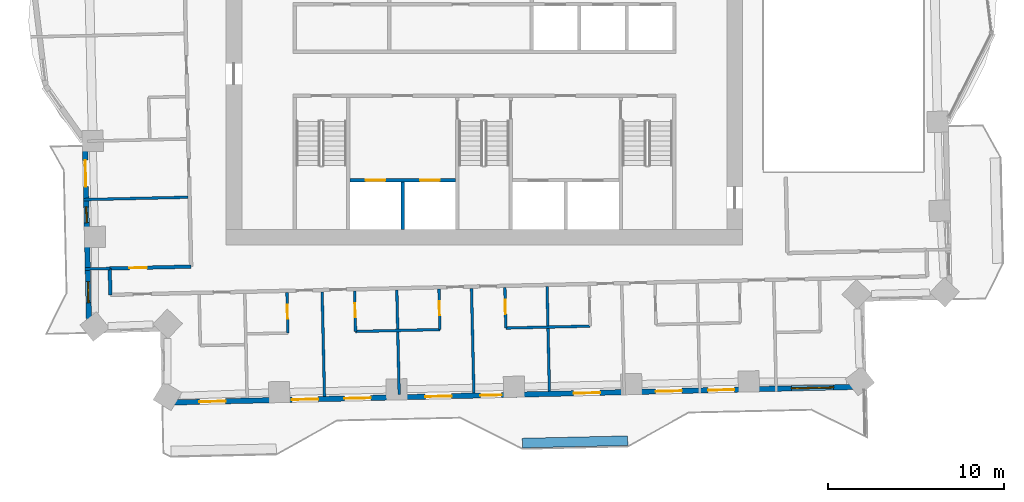
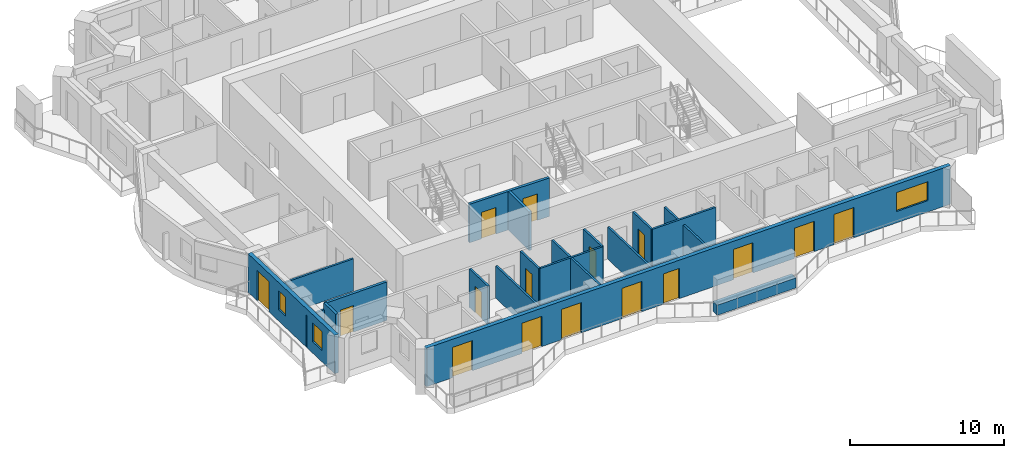
# One storey, part 6 of 16: 19 walls, 16 doors, 3 windows, 19 openings.
"""IFC4 building model written with IfcOpenShell, lengths in metres."""

from ifc_helpers import new_model, si_unit, direction, frame, frame_2d, origin, place, context, subcontext, project, spatial, rectangle, extrude, material, layer, layer_set, type_object, element, fill, save


model = new_model("IFC4")

# Units and contexts
model_context = context("Model", 3, precision=1e-05, world=origin(), true_north=direction((0.0, 1.0)))
body_context = subcontext(model_context, "Body", "Model", "MODEL_VIEW")
ifc_project = project(units=[si_unit("LENGTHUNIT", "METRE"), si_unit("AREAUNIT", "SQUARE_METRE"), si_unit("VOLUMEUNIT", "CUBIC_METRE"), si_unit("PLANEANGLEUNIT", "RADIAN"), si_unit("MASSUNIT", "GRAM", prefix="KILO")], contexts=[model_context])

# Site, building, storey
site_placement = place(None, origin())
site = spatial("IfcSite", under=ifc_project, at=site_placement, CompositionType="ELEMENT")
building_placement = place(site_placement, origin())
building = spatial("IfcBuilding", under=site, at=building_placement, Name="Mangrove Gate Tower", CompositionType="ELEMENT")
storey_placement = place(building_placement, frame((0.0, 0.0, 175.300048828125)))
storey = spatial("IfcBuildingStorey", under=building, at=storey_placement, Name="L44", CompositionType="ELEMENT", Elevation=175.300048828125)

# Wall, openings, doors
ifc_material_1 = material(Name="Concrete C60/75", Category="concrete")
ifc_layer_1 = layer(ifc_material_1, 0.199951171875)
ifc_layer_set_1 = layer_set([ifc_layer_1], Name="Core shaft wall 200 C60/75")
wall_type_1 = type_object("IfcWallType", Name="Core shaft wall 200 C60/75", PredefinedType="SHEAR", material=ifc_layer_set_1)
wall_1_placement = place(storey_placement, frame((-7.64990234375, -8.0, 0.0), z_axis=(0.0, 0.0, 1.0), x_axis=(1.0, 0.0, 0.0)))
wall_1 = element("IfcWall", 1, at=wall_1_placement, inside=storey, type_object=wall_type_1, Name="WALL-L44-CORE-15", PredefinedType="SHEAR", context=body_context, shape_type="SweptSolid", body=[
    extrude(rectangle(XDim=6.0, YDim=0.199951171875, at=frame_2d((3.0, 0.0))), origin(), (0.0, 0.0, 1.0), 3.050048828125),
])
opening_1_placement = place(wall_1_placement, frame((0.89990234375, 0.0, 0.0)))
opening_1 = element("IfcOpeningElement", 2, at=opening_1_placement, cuts=wall_1, Name="Opening LD", PredefinedType="OPENING", context=body_context, shape_type="SweptSolid", body=[
    extrude(rectangle(XDim=1.10009765625, YDim=2.10009765625, at=frame_2d((0.550048828125, 1.050048828125))), frame((0.0, 0.10986328125, 0.0), z_axis=(0.0, -1.0, 0.0), x_axis=(1.0, 0.0, 0.0)), (0.0, 0.0, 1.0), 0.219970703125),
])
opening_2_placement = place(wall_1_placement, frame((4.0, 0.0, 0.0)))
opening_2 = element("IfcOpeningElement", 3, at=opening_2_placement, cuts=wall_1, Name="Opening LD", PredefinedType="OPENING", context=body_context, shape_type="SweptSolid", body=[
    extrude(rectangle(XDim=1.10009765625, YDim=2.10009765625, at=frame_2d((0.550048828125, 1.050048828125))), frame((0.0, 0.10986328125, 0.0), z_axis=(0.0, -1.0, 0.0), x_axis=(1.0, 0.0, 0.0)), (0.0, 0.0, 1.0), 0.219970703125),
])
ifc_material_2 = material(Name="Stainless steel 316", Category="steel")
door_type_1 = type_object("IfcDoorType", Name="Lift landing door 1100x2100", OperationType="SLIDING_TO_LEFT", PredefinedType="DOOR", material=ifc_material_2)
door_1_placement = place(opening_1_placement, origin())
door_1 = element("IfcDoor", 4, at=door_1_placement, inside=storey, type_object=door_type_1, Name="Landing door LD SVL1", OperationType="SLIDING_TO_LEFT", OverallHeight=2.10009765625, OverallWidth=1.10009765625, PredefinedType="DOOR", context=body_context, shape_type="SweptSolid", body=[
    extrude(rectangle(XDim=1.10009765625, YDim=2.10009765625, at=frame_2d((0.550048828125, 1.050048828125))), frame((0.0, 0.02490234375, 0.0), z_axis=(0.0, -1.0, 0.0), x_axis=(1.0, 0.0, 0.0)), (0.0, 0.0, 1.0), 0.050048828125),
])
fill(opening_1, door_1)
door_2_placement = place(opening_2_placement, origin())
door_2 = element("IfcDoor", 5, at=door_2_placement, inside=storey, type_object=door_type_1, Name="Landing door LD SVL2", OperationType="SLIDING_TO_LEFT", OverallHeight=2.10009765625, OverallWidth=1.10009765625, PredefinedType="DOOR", context=body_context, shape_type="SweptSolid", body=[
    extrude(rectangle(XDim=1.10009765625, YDim=2.10009765625, at=frame_2d((0.550048828125, 1.050048828125))), frame((0.0, 0.02490234375, 0.0), z_axis=(0.0, -1.0, 0.0), x_axis=(1.0, 0.0, 0.0)), (0.0, 0.0, 1.0), 0.050048828125),
])
fill(opening_2, door_2)

# Walls
wall_2_placement = place(storey_placement, frame((-4.64990234375, -10.800048828125, 0.0), z_axis=(0.0, 0.0, 1.0), x_axis=(0.0, 1.0, 0.0)))
element("IfcWall", 6, at=wall_2_placement, inside=storey, type_object=wall_type_1, Name="WALL-L44-CORE-16", PredefinedType="SHEAR", context=body_context, shape_type="SweptSolid", body=[
    extrude(rectangle(XDim=2.699951171875, YDim=0.199951171875, at=frame_2d((1.35009765625, 0.0))), origin(), (0.0, 0.0, 1.0), 3.050048828125),
])
ifc_material_3 = material(Name="Gypsum board on steel stud, EI 60", Category="steel")
ifc_layer_2 = layer(ifc_material_3, 0.199951171875)
ifc_layer_set_2 = layer_set([ifc_layer_2], Name="Corridor wall EI 60")
wall_type_2 = type_object("IfcWallType", Name="Corridor wall EI 60", PredefinedType="PARTITIONING", material=ifc_layer_set_2)
wall_3_placement = place(storey_placement, frame((-21.279052734375, -14.52294921875, 0.0), z_axis=(0.0, 0.0, 1.0), x_axis=(-0.022632637625, 0.99974384905, 0.0)))
element("IfcWall", 7, at=wall_3_placement, inside=storey, type_object=wall_type_2, Name="WALL-L44-025", PredefinedType="PARTITIONING", context=body_context, shape_type="SweptSolid", body=[
    extrude(rectangle(XDim=1.49951171875, YDim=0.199951171875, at=frame_2d((0.749755859375, 0.0))), origin(), (0.0, 0.0, 1.0), 3.050048828125),
])

# Wall, opening, door
wall_4_placement = place(storey_placement, frame((-21.31298828125, -13.02392578125, 0.0), z_axis=(0.0, 0.0, 1.0), x_axis=(0.999738699021, 0.022858995594, 0.0)))
wall_4 = element("IfcWall", 8, at=wall_4_placement, inside=storey, type_object=wall_type_2, Name="WALL-L44-028", PredefinedType="PARTITIONING", context=body_context, shape_type="SweptSolid", body=[
    extrude(rectangle(XDim=4.63525390625, YDim=0.199951171875, at=frame_2d((2.317626953125, 0.0))), origin(), (0.0, 0.0, 1.0), 3.050048828125),
])
opening_3_placement = place(wall_4_placement, frame((1.116943359375, 0.0, 0.0)))
opening_3 = element("IfcOpeningElement", 9, at=opening_3_placement, cuts=wall_4, Name="Opening AD", PredefinedType="OPENING", context=body_context, shape_type="SweptSolid", body=[
    extrude(rectangle(XDim=1.0, YDim=2.10009765625, at=frame_2d((0.5, 1.050048828125))), frame((0.0, 0.10986328125, 0.0), z_axis=(0.0, -1.0, 0.0), x_axis=(1.0, 0.0, 0.0)), (0.0, 0.0, 1.0), 0.219970703125),
])
ifc_material_4 = material(Name="Timber door leaf", Category="wood")
door_type_2 = type_object("IfcDoorType", Name="Amenity door 1000", OperationType="SINGLE_SWING_LEFT", PredefinedType="DOOR", material=ifc_material_4)
door_3_placement = place(opening_3_placement, origin())
door_3 = element("IfcDoor", 10, at=door_3_placement, inside=storey, type_object=door_type_2, Name="DOOR-L44-KIT-c5b", OperationType="SINGLE_SWING_LEFT", OverallHeight=2.10009765625, OverallWidth=1.0, PredefinedType="DOOR", context=body_context, shape_type="SweptSolid", body=[
    extrude(rectangle(XDim=1.0, YDim=2.10009765625, at=frame_2d((0.5, 1.050048828125))), frame((0.0, 0.02490234375, 0.0), z_axis=(0.0, -1.0, 0.0), x_axis=(1.0, 0.0, 0.0)), (0.0, 0.0, 1.0), 0.050048828125),
])
fill(opening_3, door_3)

# Wall, openings, door, windows
ifc_material_5 = material(Name="Limestone", Category="masonry")
ifc_layer_3 = layer(ifc_material_5, 0.0400390625, Name="Limestone cladding")
ifc_material_6 = material(Name="Ventilated air gap")
ifc_layer_4 = layer(ifc_material_6, 0.0400390625, Name="Ventilated cavity")
ifc_material_7 = material(Name="Mineral wool insulation")
ifc_layer_5 = layer(ifc_material_7, 0.06005859375, Name="Insulation")
ifc_material_8 = material(Name="Breather membrane")
ifc_layer_6 = layer(ifc_material_8, 0.001953125, Name="Breather membrane")
ifc_material_9 = material(Name="Concrete C20/25 blockwork", Category="masonry")
ifc_layer_7 = layer(ifc_material_9, 0.14990234375, Name="Blockwork backing wall")
ifc_material_10 = material(Name="Gypsum plaster")
ifc_layer_8 = layer(ifc_material_10, 0.008056640625, Name="Internal plaster")
ifc_layer_set_3 = layer_set([ifc_layer_3, ifc_layer_4, ifc_layer_5, ifc_layer_6, ifc_layer_7, ifc_layer_8], Name="External wall 300 limestone cladding")
wall_type_3 = type_object("IfcWallType", Name="External wall 300 limestone cladding", PredefinedType="SOLIDWALL", material=ifc_layer_set_3)
wall_5_placement = place(storey_placement, frame((-22.72900390625, -5.72509765625, 0.0), z_axis=(0.0, 0.0, 1.0), x_axis=(0.022726014582, -0.999741730779, 0.0)))
wall_5 = element("IfcWall", 11, at=wall_5_placement, inside=storey, type_object=wall_type_3, Name="WALL-L44-W10", PredefinedType="SOLIDWALL", context=body_context, shape_type="SweptSolid", body=[
    extrude(rectangle(XDim=10.82861328125, YDim=0.300048828125, at=frame_2d((5.414306640625, 0.0))), origin(), (0.0, 0.0, 1.0), 3.050048828125),
])
opening_4_placement = place(wall_5_placement, frame((1.14208984375, 0.0, 0.0)))
opening_4 = element("IfcOpeningElement", 12, at=opening_4_placement, cuts=wall_5, Name="Opening BD1", PredefinedType="OPENING", context=body_context, shape_type="SweptSolid", body=[
    extrude(rectangle(XDim=1.5, YDim=2.39990234375, at=frame_2d((0.75, 1.199951171875))), frame((0.0, 0.159912109375, 0.0), z_axis=(0.0, -1.0, 0.0), x_axis=(1.0, 0.0, 0.0)), (0.0, 0.0, 1.0), 0.320068359375),
])
opening_5_placement = place(wall_5_placement, frame((3.798095703125, 0.0, 0.89990234375)))
opening_5 = element("IfcOpeningElement", 13, at=opening_5_placement, cuts=wall_5, Name="Opening W5", PredefinedType="OPENING", context=body_context, shape_type="SweptSolid", body=[
    extrude(rectangle(XDim=0.89990234375, YDim=1.5, at=frame_2d((0.449951171875, 0.75))), frame((0.0, 0.159912109375, 0.0), z_axis=(0.0, -1.0, 0.0), x_axis=(1.0, 0.0, 0.0)), (0.0, 0.0, 1.0), 0.320068359375),
])
opening_6_placement = place(wall_5_placement, frame((8.050048828125, 0.0, 0.89990234375)))
opening_6 = element("IfcOpeningElement", 14, at=opening_6_placement, cuts=wall_5, Name="Opening W1", PredefinedType="OPENING", context=body_context, shape_type="SweptSolid", body=[
    extrude(rectangle(XDim=1.199951171875, YDim=1.5, at=frame_2d((0.60009765625, 0.75))), frame((0.0, 0.159912109375, 0.0), z_axis=(0.0, -1.0, 0.0), x_axis=(1.0, 0.0, 0.0)), (0.0, 0.0, 1.0), 0.320068359375),
])
ifc_material_11 = material(Name="Aluminium frame with laminated clear glass", Category="aluminium")
door_type_3 = type_object("IfcDoorType", Name="Balcony sliding door 1500x2400", OperationType="SLIDING_TO_LEFT", PredefinedType="DOOR", material=ifc_material_11)
door_4_placement = place(opening_4_placement, origin())
door_4 = element("IfcDoor", 15, at=door_4_placement, inside=storey, type_object=door_type_3, Name="DOOR-L44-W10-1", OperationType="SLIDING_TO_LEFT", OverallHeight=2.39990234375, OverallWidth=1.5, PredefinedType="DOOR", context=body_context, shape_type="SweptSolid", body=[
    extrude(rectangle(XDim=1.5, YDim=2.39990234375, at=frame_2d((0.75, 1.199951171875))), frame((0.0, 0.02490234375, 0.0), z_axis=(0.0, -1.0, 0.0), x_axis=(1.0, 0.0, 0.0)), (0.0, 0.0, 1.0), 0.050048828125),
])
fill(opening_4, door_4)
ifc_material_12 = material(Name="Aluminium frame with double-glazed low-e glass", Category="aluminium")
window_type_1 = type_object("IfcWindowType", Name="Narrow window 900x1500", PartitioningType="SINGLE_PANEL", PredefinedType="WINDOW", material=ifc_material_12)
window_1_placement = place(opening_5_placement, origin())
window_1 = element("IfcWindow", 16, at=window_1_placement, inside=storey, type_object=window_type_1, Name="WIN-L44-W10-2", OverallHeight=1.5, OverallWidth=0.89990234375, PartitioningType="SINGLE_PANEL", PredefinedType="WINDOW", context=body_context, shape_type="SweptSolid", body=[
    extrude(rectangle(XDim=0.89990234375, YDim=1.5, at=frame_2d((0.449951171875, 0.75))), frame((0.0, 0.030029296875, 0.0), z_axis=(0.0, -1.0, 0.0), x_axis=(1.0, 0.0, 0.0)), (0.0, 0.0, 1.0), 0.06005859375),
])
fill(opening_5, window_1)
ifc_material_13 = material(Name="Aluminium frame with double-glazed low-e glass", Category="aluminium")
window_type_2 = type_object("IfcWindowType", Name="Side lite 1200x1500", PartitioningType="SINGLE_PANEL", PredefinedType="WINDOW", material=ifc_material_13)
window_2_placement = place(opening_6_placement, origin())
window_2 = element("IfcWindow", 17, at=window_2_placement, inside=storey, type_object=window_type_2, Name="WIN-L44-W10-3", OverallHeight=1.5, OverallWidth=1.199951171875, PartitioningType="SINGLE_PANEL", PredefinedType="WINDOW", context=body_context, shape_type="SweptSolid", body=[
    extrude(rectangle(XDim=1.199951171875, YDim=1.5, at=frame_2d((0.60009765625, 0.75))), frame((0.0, 0.030029296875, 0.0), z_axis=(0.0, -1.0, 0.0), x_axis=(1.0, 0.0, 0.0)), (0.0, 0.0, 1.0), 0.06005859375),
])
fill(opening_6, window_2)

# Wall, openings, doors, window
wall_6_placement = place(storey_placement, frame((-18.18896484375, -20.655029296875, 0.0), z_axis=(0.0, 0.0, 1.0), x_axis=(0.999742285265, 0.022701609063, 0.0)))
wall_6 = element("IfcWall", 18, at=wall_6_placement, inside=storey, type_object=wall_type_3, Name="WALL-L44-S13", PredefinedType="SOLIDWALL", context=body_context, shape_type="SweptSolid", body=[
    extrude(rectangle(XDim=39.7802734375, YDim=0.300048828125, at=frame_2d((19.89013671875, 0.0))), origin(), (0.0, 0.0, 1.0), 3.050048828125),
])
opening_7_placement = place(wall_6_placement, frame((1.972900390625, 0.0, 0.0)))
opening_7 = element("IfcOpeningElement", 19, at=opening_7_placement, cuts=wall_6, Name="Opening BD1", PredefinedType="OPENING", context=body_context, shape_type="SweptSolid", body=[
    extrude(rectangle(XDim=1.5, YDim=2.39990234375, at=frame_2d((0.75, 1.199951171875))), frame((0.0, 0.159912109375, 0.0), z_axis=(0.0, -1.0, 0.0), x_axis=(1.0, 0.0, 0.0)), (0.0, 0.0, 1.0), 0.320068359375),
])
opening_8_placement = place(wall_6_placement, frame((7.239990234375, 0.0, 0.0)))
opening_8 = element("IfcOpeningElement", 20, at=opening_8_placement, cuts=wall_6, Name="Opening BD1", PredefinedType="OPENING", context=body_context, shape_type="SweptSolid", body=[
    extrude(rectangle(XDim=1.5, YDim=2.39990234375, at=frame_2d((0.75, 1.199951171875))), frame((0.0, 0.159912109375, 0.0), z_axis=(0.0, -1.0, 0.0), x_axis=(1.0, 0.0, 0.0)), (0.0, 0.0, 1.0), 0.320068359375),
])
opening_9_placement = place(wall_6_placement, frame((10.22998046875, 0.0, 0.0)))
opening_9 = element("IfcOpeningElement", 21, at=opening_9_placement, cuts=wall_6, Name="Opening BD1", PredefinedType="OPENING", context=body_context, shape_type="SweptSolid", body=[
    extrude(rectangle(XDim=1.5, YDim=2.39990234375, at=frame_2d((0.75, 1.199951171875))), frame((0.0, 0.159912109375, 0.0), z_axis=(0.0, -1.0, 0.0), x_axis=(1.0, 0.0, 0.0)), (0.0, 0.0, 1.0), 0.320068359375),
])
opening_10_placement = place(wall_6_placement, frame((14.830078125, 0.0, 0.0)))
opening_10 = element("IfcOpeningElement", 22, at=opening_10_placement, cuts=wall_6, Name="Opening BD1", PredefinedType="OPENING", context=body_context, shape_type="SweptSolid", body=[
    extrude(rectangle(XDim=1.5, YDim=2.39990234375, at=frame_2d((0.75, 1.199951171875))), frame((0.0, 0.159912109375, 0.0), z_axis=(0.0, -1.0, 0.0), x_axis=(1.0, 0.0, 0.0)), (0.0, 0.0, 1.0), 0.320068359375),
])
opening_11_placement = place(wall_6_placement, frame((17.969970703125, 0.0, 0.0)))
opening_11 = element("IfcOpeningElement", 23, at=opening_11_placement, cuts=wall_6, Name="Opening BD2", PredefinedType="OPENING", context=body_context, shape_type="SweptSolid", body=[
    extrude(rectangle(XDim=1.199951171875, YDim=2.39990234375, at=frame_2d((0.60009765625, 1.199951171875))), frame((0.0, 0.159912109375, 0.0), z_axis=(0.0, -1.0, 0.0), x_axis=(1.0, 0.0, 0.0)), (0.0, 0.0, 1.0), 0.320068359375),
])
opening_12_placement = place(wall_6_placement, frame((23.27490234375, 0.0, 0.0)))
opening_12 = element("IfcOpeningElement", 24, at=opening_12_placement, cuts=wall_6, Name="Opening BD1", PredefinedType="OPENING", context=body_context, shape_type="SweptSolid", body=[
    extrude(rectangle(XDim=1.5, YDim=2.39990234375, at=frame_2d((0.75, 1.199951171875))), frame((0.0, 0.159912109375, 0.0), z_axis=(0.0, -1.0, 0.0), x_axis=(1.0, 0.0, 0.0)), (0.0, 0.0, 1.0), 0.320068359375),
])
opening_13_placement = place(wall_6_placement, frame((27.93505859375, 0.0, 0.0)))
opening_13 = element("IfcOpeningElement", 25, at=opening_13_placement, cuts=wall_6, Name="Opening BD1", PredefinedType="OPENING", context=body_context, shape_type="SweptSolid", body=[
    extrude(rectangle(XDim=1.5, YDim=2.39990234375, at=frame_2d((0.75, 1.199951171875))), frame((0.0, 0.159912109375, 0.0), z_axis=(0.0, -1.0, 0.0), x_axis=(1.0, 0.0, 0.0)), (0.0, 0.0, 1.0), 0.320068359375),
])
opening_14_placement = place(wall_6_placement, frame((30.925048828125, 0.0, 0.0)))
opening_14 = element("IfcOpeningElement", 26, at=opening_14_placement, cuts=wall_6, Name="Opening BD1", PredefinedType="OPENING", context=body_context, shape_type="SweptSolid", body=[
    extrude(rectangle(XDim=1.5, YDim=2.39990234375, at=frame_2d((0.75, 1.199951171875))), frame((0.0, 0.159912109375, 0.0), z_axis=(0.0, -1.0, 0.0), x_axis=(1.0, 0.0, 0.0)), (0.0, 0.0, 1.0), 0.320068359375),
])
opening_15_placement = place(wall_6_placement, frame((35.6650390625, 0.0, 0.89990234375)))
opening_15 = element("IfcOpeningElement", 27, at=opening_15_placement, cuts=wall_6, Name="Opening W2", PredefinedType="OPENING", context=body_context, shape_type="SweptSolid", body=[
    extrude(rectangle(XDim=2.39990234375, YDim=1.5, at=frame_2d((1.199951171875, 0.75))), frame((0.0, 0.159912109375, 0.0), z_axis=(0.0, -1.0, 0.0), x_axis=(1.0, 0.0, 0.0)), (0.0, 0.0, 1.0), 0.320068359375),
])
ifc_material_14 = material(Name="Aluminium frame with laminated clear glass", Category="aluminium")
door_type_4 = type_object("IfcDoorType", Name="Balcony sliding door 1200x2400", OperationType="SLIDING_TO_LEFT", PredefinedType="DOOR", material=ifc_material_14)
door_5_placement = place(opening_11_placement, origin())
door_5 = element("IfcDoor", 28, at=door_5_placement, inside=storey, type_object=door_type_4, Name="DOOR-L44-S13-5", OperationType="SLIDING_TO_LEFT", OverallHeight=2.39990234375, OverallWidth=1.199951171875, PredefinedType="DOOR", context=body_context, shape_type="SweptSolid", body=[
    extrude(rectangle(XDim=1.199951171875, YDim=2.39990234375, at=frame_2d((0.60009765625, 1.199951171875))), frame((0.0, 0.02490234375, 0.0), z_axis=(0.0, -1.0, 0.0), x_axis=(1.0, 0.0, 0.0)), (0.0, 0.0, 1.0), 0.050048828125),
])
fill(opening_11, door_5)
door_6_placement = place(opening_7_placement, origin())
door_6 = element("IfcDoor", 29, at=door_6_placement, inside=storey, type_object=door_type_3, Name="DOOR-L44-S13-1", OperationType="SLIDING_TO_LEFT", OverallHeight=2.39990234375, OverallWidth=1.5, PredefinedType="DOOR", context=body_context, shape_type="SweptSolid", body=[
    extrude(rectangle(XDim=1.5, YDim=2.39990234375, at=frame_2d((0.75, 1.199951171875))), frame((0.0, 0.02490234375, 0.0), z_axis=(0.0, -1.0, 0.0), x_axis=(1.0, 0.0, 0.0)), (0.0, 0.0, 1.0), 0.050048828125),
])
fill(opening_7, door_6)
door_7_placement = place(opening_8_placement, origin())
door_7 = element("IfcDoor", 30, at=door_7_placement, inside=storey, type_object=door_type_3, Name="DOOR-L44-S13-2", OperationType="SLIDING_TO_LEFT", OverallHeight=2.39990234375, OverallWidth=1.5, PredefinedType="DOOR", context=body_context, shape_type="SweptSolid", body=[
    extrude(rectangle(XDim=1.5, YDim=2.39990234375, at=frame_2d((0.75, 1.199951171875))), frame((0.0, 0.02490234375, 0.0), z_axis=(0.0, -1.0, 0.0), x_axis=(1.0, 0.0, 0.0)), (0.0, 0.0, 1.0), 0.050048828125),
])
fill(opening_8, door_7)
door_8_placement = place(opening_9_placement, origin())
door_8 = element("IfcDoor", 31, at=door_8_placement, inside=storey, type_object=door_type_3, Name="DOOR-L44-S13-3", OperationType="SLIDING_TO_LEFT", OverallHeight=2.39990234375, OverallWidth=1.5, PredefinedType="DOOR", context=body_context, shape_type="SweptSolid", body=[
    extrude(rectangle(XDim=1.5, YDim=2.39990234375, at=frame_2d((0.75, 1.199951171875))), frame((0.0, 0.02490234375, 0.0), z_axis=(0.0, -1.0, 0.0), x_axis=(1.0, 0.0, 0.0)), (0.0, 0.0, 1.0), 0.050048828125),
])
fill(opening_9, door_8)
door_9_placement = place(opening_10_placement, origin())
door_9 = element("IfcDoor", 32, at=door_9_placement, inside=storey, type_object=door_type_3, Name="DOOR-L44-S13-4", OperationType="SLIDING_TO_LEFT", OverallHeight=2.39990234375, OverallWidth=1.5, PredefinedType="DOOR", context=body_context, shape_type="SweptSolid", body=[
    extrude(rectangle(XDim=1.5, YDim=2.39990234375, at=frame_2d((0.75, 1.199951171875))), frame((0.0, 0.02490234375, 0.0), z_axis=(0.0, -1.0, 0.0), x_axis=(1.0, 0.0, 0.0)), (0.0, 0.0, 1.0), 0.050048828125),
])
fill(opening_10, door_9)
door_10_placement = place(opening_12_placement, origin())
door_10 = element("IfcDoor", 33, at=door_10_placement, inside=storey, type_object=door_type_3, Name="DOOR-L44-S13-6", OperationType="SLIDING_TO_LEFT", OverallHeight=2.39990234375, OverallWidth=1.5, PredefinedType="DOOR", context=body_context, shape_type="SweptSolid", body=[
    extrude(rectangle(XDim=1.5, YDim=2.39990234375, at=frame_2d((0.75, 1.199951171875))), frame((0.0, 0.02490234375, 0.0), z_axis=(0.0, -1.0, 0.0), x_axis=(1.0, 0.0, 0.0)), (0.0, 0.0, 1.0), 0.050048828125),
])
fill(opening_12, door_10)
door_11_placement = place(opening_13_placement, origin())
door_11 = element("IfcDoor", 34, at=door_11_placement, inside=storey, type_object=door_type_3, Name="DOOR-L44-S13-7", OperationType="SLIDING_TO_LEFT", OverallHeight=2.39990234375, OverallWidth=1.5, PredefinedType="DOOR", context=body_context, shape_type="SweptSolid", body=[
    extrude(rectangle(XDim=1.5, YDim=2.39990234375, at=frame_2d((0.75, 1.199951171875))), frame((0.0, 0.02490234375, 0.0), z_axis=(0.0, -1.0, 0.0), x_axis=(1.0, 0.0, 0.0)), (0.0, 0.0, 1.0), 0.050048828125),
])
fill(opening_13, door_11)
door_12_placement = place(opening_14_placement, origin())
door_12 = element("IfcDoor", 35, at=door_12_placement, inside=storey, type_object=door_type_3, Name="DOOR-L44-S13-8", OperationType="SLIDING_TO_LEFT", OverallHeight=2.39990234375, OverallWidth=1.5, PredefinedType="DOOR", context=body_context, shape_type="SweptSolid", body=[
    extrude(rectangle(XDim=1.5, YDim=2.39990234375, at=frame_2d((0.75, 1.199951171875))), frame((0.0, 0.02490234375, 0.0), z_axis=(0.0, -1.0, 0.0), x_axis=(1.0, 0.0, 0.0)), (0.0, 0.0, 1.0), 0.050048828125),
])
fill(opening_14, door_12)
ifc_material_15 = material(Name="Aluminium frame with double-glazed low-e glass", Category="aluminium")
window_type_3 = type_object("IfcWindowType", Name="Corner room window 2400x1500", PartitioningType="DOUBLE_PANEL_VERTICAL", PredefinedType="WINDOW", material=ifc_material_15)
window_3_placement = place(opening_15_placement, origin())
window_3 = element("IfcWindow", 36, at=window_3_placement, inside=storey, type_object=window_type_3, Name="WIN-L44-S13-9", OverallHeight=1.5, OverallWidth=2.39990234375, PartitioningType="DOUBLE_PANEL_VERTICAL", PredefinedType="WINDOW", context=body_context, shape_type="SweptSolid", body=[
    extrude(rectangle(XDim=2.39990234375, YDim=1.5, at=frame_2d((1.199951171875, 0.75))), frame((0.0, 0.030029296875, 0.0), z_axis=(0.0, -1.0, 0.0), x_axis=(1.0, 0.0, 0.0)), (0.0, 0.0, 1.0), 0.06005859375),
])
fill(opening_15, window_3)

# Walls
ifc_material_16 = material(Name="Gypsum board on steel stud, EI 60", Category="steel")
ifc_layer_9 = layer(ifc_material_16, 0.14990234375)
ifc_layer_set_4 = layer_set([ifc_layer_9], Name="Party wall 150 EI 60")
wall_type_4 = type_object("IfcWallType", Name="Party wall 150 EI 60", PredefinedType="PARTITIONING", material=ifc_layer_set_4)
wall_7_placement = place(storey_placement, frame((-9.094970703125, -20.298095703125, 0.0), z_axis=(0.0, 0.0, 1.0), x_axis=(-0.022692509051, 0.999742491861, 0.0)))
element("IfcWall", 37, at=wall_7_placement, inside=storey, type_object=wall_type_4, Name="WALL-L44-002", PredefinedType="PARTITIONING", context=body_context, shape_type="SweptSolid", body=[
    extrude(rectangle(XDim=5.949462890625, YDim=0.14990234375, at=frame_2d((2.974609375, 0.0))), origin(), (0.0, 0.0, 1.0), 2.550048828125),
])
wall_8_placement = place(storey_placement, frame((-4.845947265625, -20.201904296875, 0.0), z_axis=(0.0, 0.0, 1.0), x_axis=(-0.022688785847, 0.999742576365, 0.0)))
element("IfcWall", 38, at=wall_8_placement, inside=storey, type_object=wall_type_4, Name="WALL-L44-003", PredefinedType="PARTITIONING", context=body_context, shape_type="SweptSolid", body=[
    extrude(rectangle(XDim=5.950439453125, YDim=0.14990234375, at=frame_2d((2.97509765625, 0.0))), origin(), (0.0, 0.0, 1.0), 3.050048828125),
])
for number, where, z_axis, x_axis, name in (
    (39, (-0.596923828125, -20.10595703125, 0.0), (0.0, 0.0, 1.0), (-0.022688785847, 0.999742576365, 0.0), "WALL-L44-004"),
    (40, (3.701904296875, -20.008056640625, 0.0), (0.0, 0.0, 1.0), (-0.022688785847, 0.999742576365, 0.0), "WALL-L44-005"),
):
    element("IfcWall", number, at=place(storey_placement, frame(where, z_axis=z_axis, x_axis=x_axis)), inside=storey, type_object=wall_type_4, Name=name, PredefinedType="PARTITIONING", context=body_context, shape_type="SweptSolid", body=[
        extrude(rectangle(XDim=5.950439453125, YDim=0.14990234375, at=frame_2d((2.97509765625, 0.0))), origin(), (0.0, 0.0, 1.0), 2.550048828125),
    ])

# Wall, opening, door
wall_9_placement = place(storey_placement, frame((-11.177001953125, -16.695068359375, 0.0), z_axis=(0.0, 0.0, 1.0), x_axis=(-0.022603288534, 0.999744513037, 0.0)))
wall_9 = element("IfcWall", 41, at=wall_9_placement, inside=storey, type_object=wall_type_4, Name="WALL-L44-014", PredefinedType="PARTITIONING", context=body_context, shape_type="SweptSolid", body=[
    extrude(rectangle(XDim=2.300537109375, YDim=0.14990234375, at=frame_2d((1.150390625, 0.0))), origin(), (0.0, 0.0, 1.0), 3.050048828125),
])
opening_16_placement = place(wall_9_placement, frame((0.800048828125, 0.0, 0.0)))
opening_16 = element("IfcOpeningElement", 42, at=opening_16_placement, cuts=wall_9, Name="Opening ED", PredefinedType="OPENING", context=body_context, shape_type="SweptSolid", body=[
    extrude(rectangle(XDim=0.800048828125, YDim=2.10009765625, at=frame_2d((0.39990234375, 1.050048828125))), frame((0.0, 0.0849609375, 0.0), z_axis=(0.0, -1.0, 0.0), x_axis=(1.0, 0.0, 0.0)), (0.0, 0.0, 1.0), 0.169921875),
])
ifc_material_17 = material(Name="Timber door leaf", Category="wood")
door_type_5 = type_object("IfcDoorType", Name="En-suite door 800", OperationType="SINGLE_SWING_LEFT", PredefinedType="DOOR", material=ifc_material_17)
door_13_placement = place(opening_16_placement, origin())
door_13 = element("IfcDoor", 43, at=door_13_placement, inside=storey, type_object=door_type_5, Name="DOOR-L44-ENS-c101", OperationType="SINGLE_SWING_LEFT", OverallHeight=2.10009765625, OverallWidth=0.800048828125, PredefinedType="DOOR", context=body_context, shape_type="SweptSolid", body=[
    extrude(rectangle(XDim=0.800048828125, YDim=2.10009765625, at=frame_2d((0.39990234375, 1.050048828125))), frame((0.0, 0.02490234375, 0.0), z_axis=(0.0, -1.0, 0.0), x_axis=(1.0, 0.0, 0.0)), (0.0, 0.0, 1.0), 0.050048828125),
])
fill(opening_16, door_13)

# Wall
wall_10_placement = place(storey_placement, frame((-7.327880859375, -16.60693359375, 0.0), z_axis=(0.0, 0.0, 1.0), x_axis=(0.999742675121, 0.022684433919, 0.0)))
element("IfcWall", 44, at=wall_10_placement, inside=storey, type_object=wall_type_4, Name="WALL-L44-015", PredefinedType="PARTITIONING", context=body_context, shape_type="SweptSolid", body=[
    extrude(rectangle(XDim=4.800048828125, YDim=0.14990234375, at=frame_2d((2.39990234375, 0.0))), origin(), (0.0, 0.0, 1.0), 3.050048828125),
])

# Wall, opening, door
wall_11_placement = place(storey_placement, frame((-7.327880859375, -16.60693359375, 0.0), z_axis=(0.0, 0.0, 1.0), x_axis=(-0.022615284993, 0.999744241736, 0.0)))
wall_11 = element("IfcWall", 45, at=wall_11_placement, inside=storey, type_object=wall_type_4, Name="WALL-L44-016", PredefinedType="PARTITIONING", context=body_context, shape_type="SweptSolid", body=[
    extrude(rectangle(XDim=2.29931640625, YDim=0.14990234375, at=frame_2d((1.149658203125, 0.0))), origin(), (0.0, 0.0, 1.0), 3.050048828125),
])
opening_17_placement = place(wall_11_placement, frame((0.800048828125, 0.0, 0.0)))
opening_17 = element("IfcOpeningElement", 46, at=opening_17_placement, cuts=wall_11, Name="Opening ED", PredefinedType="OPENING", context=body_context, shape_type="SweptSolid", body=[
    extrude(rectangle(XDim=0.800048828125, YDim=2.10009765625, at=frame_2d((0.39990234375, 1.050048828125))), frame((0.0, 0.0849609375, 0.0), z_axis=(0.0, -1.0, 0.0), x_axis=(1.0, 0.0, 0.0)), (0.0, 0.0, 1.0), 0.169921875),
])
door_14_placement = place(opening_17_placement, origin())
door_14 = element("IfcDoor", 47, at=door_14_placement, inside=storey, type_object=door_type_5, Name="DOOR-L44-ENS-c102", OperationType="SINGLE_SWING_RIGHT", OverallHeight=2.10009765625, OverallWidth=0.800048828125, PredefinedType="DOOR", context=body_context, shape_type="SweptSolid", body=[
    extrude(rectangle(XDim=0.800048828125, YDim=2.10009765625, at=frame_2d((0.39990234375, 1.050048828125))), frame((0.0, 0.02490234375, 0.0), z_axis=(0.0, -1.0, 0.0), x_axis=(1.0, 0.0, 0.0)), (0.0, 0.0, 1.0), 0.050048828125),
])
fill(opening_17, door_14)

wall_12_placement = place(storey_placement, frame((-2.529052734375, -16.498046875, 0.0), z_axis=(0.0, 0.0, 1.0), x_axis=(-0.023037316498, 0.999734605807, 0.0)))
wall_12 = element("IfcWall", 48, at=wall_12_placement, inside=storey, type_object=wall_type_4, Name="WALL-L44-017", PredefinedType="PARTITIONING", context=body_context, shape_type="SweptSolid", body=[
    extrude(rectangle(XDim=2.299560546875, YDim=0.14990234375, at=frame_2d((1.14990234375, 0.0))), origin(), (0.0, 0.0, 1.0), 3.050048828125),
])
opening_18_placement = place(wall_12_placement, frame((0.800048828125, 0.0, 0.0)))
opening_18 = element("IfcOpeningElement", 49, at=opening_18_placement, cuts=wall_12, Name="Opening ED", PredefinedType="OPENING", context=body_context, shape_type="SweptSolid", body=[
    extrude(rectangle(XDim=0.800048828125, YDim=2.10009765625, at=frame_2d((0.39990234375, 1.050048828125))), frame((0.0, 0.0849609375, 0.0), z_axis=(0.0, -1.0, 0.0), x_axis=(1.0, 0.0, 0.0)), (0.0, 0.0, 1.0), 0.169921875),
])
door_15_placement = place(opening_18_placement, origin())
door_15 = element("IfcDoor", 50, at=door_15_placement, inside=storey, type_object=door_type_5, Name="DOOR-L44-ENS-c103", OperationType="SINGLE_SWING_LEFT", OverallHeight=2.10009765625, OverallWidth=0.800048828125, PredefinedType="DOOR", context=body_context, shape_type="SweptSolid", body=[
    extrude(rectangle(XDim=0.800048828125, YDim=2.10009765625, at=frame_2d((0.39990234375, 1.050048828125))), frame((0.0, 0.02490234375, 0.0), z_axis=(0.0, -1.0, 0.0), x_axis=(1.0, 0.0, 0.0)), (0.0, 0.0, 1.0), 0.050048828125),
])
fill(opening_18, door_15)

# Wall
wall_13_placement = place(storey_placement, frame((1.219970703125, -16.4130859375, 0.0), z_axis=(0.0, 0.0, 1.0), x_axis=(0.999741441463, 0.022738738327, 0.0)))
element("IfcWall", 51, at=wall_13_placement, inside=storey, type_object=wall_type_4, Name="WALL-L44-018", PredefinedType="PARTITIONING", context=body_context, shape_type="SweptSolid", body=[
    extrude(rectangle(XDim=4.79931640625, YDim=0.14990234375, at=frame_2d((2.399658203125, 0.0))), origin(), (0.0, 0.0, 1.0), 3.050048828125),
])

# Wall, opening, door
wall_14_placement = place(storey_placement, frame((1.219970703125, -16.4130859375, 0.0), z_axis=(0.0, 0.0, 1.0), x_axis=(-0.022612884682, 0.999744296031, 0.0)))
wall_14 = element("IfcWall", 52, at=wall_14_placement, inside=storey, type_object=wall_type_4, Name="WALL-L44-019", PredefinedType="PARTITIONING", context=body_context, shape_type="SweptSolid", body=[
    extrude(rectangle(XDim=2.299560546875, YDim=0.14990234375, at=frame_2d((1.14990234375, 0.0))), origin(), (0.0, 0.0, 1.0), 3.050048828125),
])
opening_19_placement = place(wall_14_placement, frame((0.800048828125, 0.0, 0.0)))
opening_19 = element("IfcOpeningElement", 53, at=opening_19_placement, cuts=wall_14, Name="Opening ED", PredefinedType="OPENING", context=body_context, shape_type="SweptSolid", body=[
    extrude(rectangle(XDim=0.800048828125, YDim=2.10009765625, at=frame_2d((0.39990234375, 1.050048828125))), frame((0.0, 0.0849609375, 0.0), z_axis=(0.0, -1.0, 0.0), x_axis=(1.0, 0.0, 0.0)), (0.0, 0.0, 1.0), 0.169921875),
])
door_16_placement = place(opening_19_placement, origin())
door_16 = element("IfcDoor", 54, at=door_16_placement, inside=storey, type_object=door_type_5, Name="DOOR-L44-ENS-c204", OperationType="SINGLE_SWING_RIGHT", OverallHeight=2.10009765625, OverallWidth=0.800048828125, PredefinedType="DOOR", context=body_context, shape_type="SweptSolid", body=[
    extrude(rectangle(XDim=0.800048828125, YDim=2.10009765625, at=frame_2d((0.39990234375, 1.050048828125))), frame((0.0, 0.02490234375, 0.0), z_axis=(0.0, -1.0, 0.0), x_axis=(1.0, 0.0, 0.0)), (0.0, 0.0, 1.0), 0.050048828125),
])
fill(opening_19, door_16)

# Walls
wall_15_placement = place(storey_placement, frame((-22.712890625, -13.054931640625, 0.0), z_axis=(0.0, 0.0, 1.0), x_axis=(0.999756172383, 0.022081571112, 0.0)))
element("IfcWall", 55, at=wall_15_placement, inside=storey, type_object=wall_type_4, Name="WALL-L44-027", PredefinedType="PARTITIONING", context=body_context, shape_type="SweptSolid", body=[
    extrude(rectangle(XDim=1.404052734375, YDim=0.14990234375, at=frame_2d((0.7021484375, 0.0))), origin(), (0.0, 0.0, 1.0), 2.550048828125),
])
wall_16_placement = place(storey_placement, frame((-22.802001953125, -9.10595703125, 0.0), z_axis=(0.0, 0.0, 1.0), x_axis=(0.999744927012, 0.022584970987, 0.0)))
element("IfcWall", 56, at=wall_16_placement, inside=storey, type_object=wall_type_4, Name="WALL-L44-033", PredefinedType="PARTITIONING", context=body_context, shape_type="SweptSolid", body=[
    extrude(rectangle(XDim=5.9345703125, YDim=0.14990234375, at=frame_2d((2.96728515625, 0.0))), origin(), (0.0, 0.0, 1.0), 2.550048828125),
])
ifc_material_18 = material(Name="Concrete C32/40", Category="concrete")
ifc_layer_10 = layer(ifc_material_18, 0.199951171875, Name="Planter trough wall")
ifc_material_19 = material(Name="Bituminous waterproofing membrane")
ifc_layer_11 = layer(ifc_material_19, 0.0048828125, Name="Waterproofing")
ifc_material_20 = material(Name="Drainage board and gravel")
ifc_layer_12 = layer(ifc_material_20, 0.044921875, Name="Drainage layer")
ifc_material_21 = material(Name="Planting soil")
ifc_layer_13 = layer(ifc_material_21, 0.300048828125, Name="Growing medium")
ifc_layer_set_5 = layer_set([ifc_layer_10, ifc_layer_11, ifc_layer_12, ifc_layer_13], Name="Planter wall 550 C32/40")
wall_type_5 = type_object("IfcWallType", Name="Planter wall 550 C32/40", PredefinedType="USERDEFINED", material=ifc_layer_set_5)
wall_17_placement = place(storey_placement, frame((2.158935546875, -22.958984375, 0.0), z_axis=(0.0, 0.0, 1.0), x_axis=(0.999743094499, 0.022665943652, 0.0)))
element("IfcWall", 57, at=wall_17_placement, inside=storey, type_object=wall_type_5, Name="PLANTER L44 S1.1", ObjectType="PLANTER", PredefinedType="USERDEFINED", context=body_context, shape_type="SweptSolid", body=[
    extrude(rectangle(XDim=5.99951171875, YDim=0.550048828125, at=frame_2d((2.999755859375, 0.0))), origin(), (0.0, 0.0, 1.0), 0.800048828125),
])

save(model, "model.ifc")
